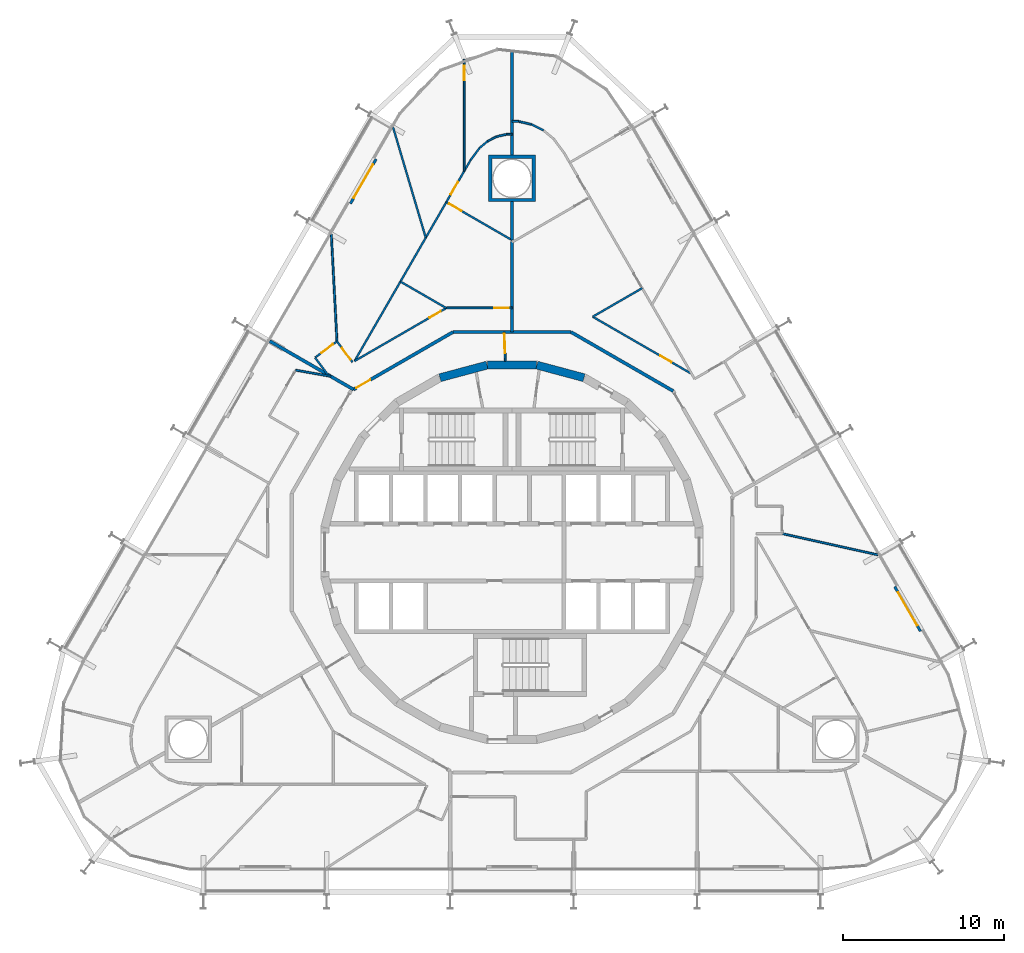
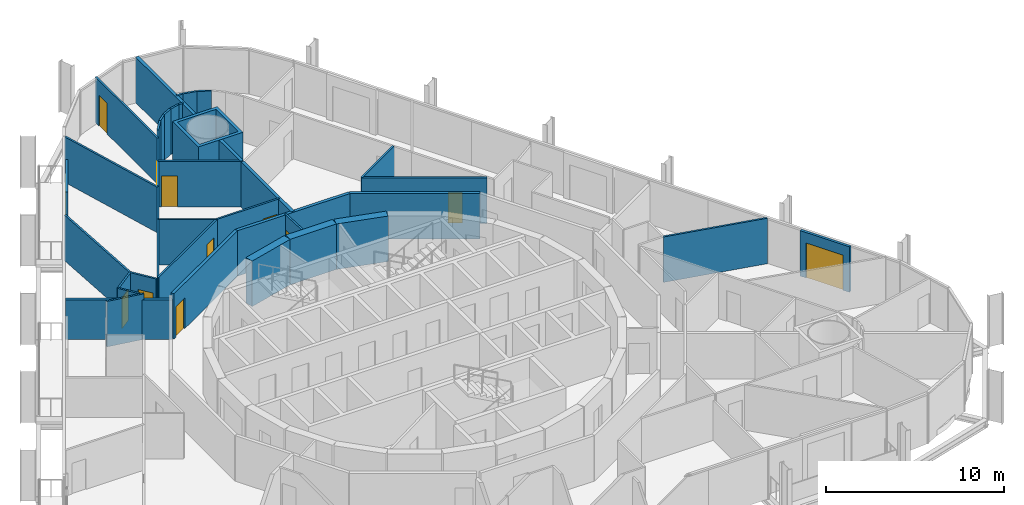
# One storey, part 18 of 21: 37 walls, 12 doors, 12 openings.
"""IFC4 building model written with IfcOpenShell, lengths in metres."""

from ifc_helpers import new_model, si_unit, direction, frame, frame_2d, origin, place, context, subcontext, project, spatial, polyline, rectangle, outline, extrude, material, layer, layer_set, type_object, element, fill, save


model = new_model("IFC4")

# Units and contexts
model_context = context("Model", 3, precision=1e-05, world=origin(), true_north=direction((0.0, 1.0)))
body_context = subcontext(model_context, "Body", "Model", "MODEL_VIEW")
ifc_project = project(units=[si_unit("LENGTHUNIT", "METRE"), si_unit("AREAUNIT", "SQUARE_METRE"), si_unit("VOLUMEUNIT", "CUBIC_METRE"), si_unit("PLANEANGLEUNIT", "RADIAN"), si_unit("MASSUNIT", "GRAM", prefix="KILO")], contexts=[model_context])

# Site, building, storey
site_placement = place(None, origin())
site = spatial("IfcSite", under=ifc_project, at=site_placement, CompositionType="ELEMENT")
building_placement = place(site_placement, origin())
building = spatial("IfcBuilding", under=site, at=building_placement, Name="Spindle Arch Residences", CompositionType="ELEMENT")
storey_placement = place(building_placement, frame((0.0, 0.0, 55.89990234375)))
storey = spatial("IfcBuildingStorey", under=building, at=storey_placement, Name="L12", CompositionType="ELEMENT", Elevation=55.89990234375)

# Walls
ifc_material_1 = material(Name="Concrete C50/60", Category="concrete")
ifc_layer_1 = layer(ifc_material_1, 0.5)
ifc_layer_set_1 = layer_set([ifc_layer_1], Name="Core outline wall 500")
wall_type_1 = type_object("IfcWallType", Name="Core outline wall 500", PredefinedType="SHEAR", material=ifc_layer_set_1)
for number, where, z_axis, x_axis, name in (
    (1, (4.479248046875, 10.858154296875, 0.0), (0.0, 0.0, 1.0), (-0.965948410781, 0.258734743916, 0.0), "Core outline wall 11"),
    (2, (1.516357421875, 11.647216796875, 0.0), (0.0, 0.0, 1.0), (-1.0, 0.0, 0.0), "Core outline wall 12"),
    (3, (-1.5498046875, 11.642822265625, 0.0), (0.0, 0.0, 1.0), (-0.965948410781, -0.258734743916, 0.0), "Core outline wall 13"),
):
    element("IfcWall", number, at=place(storey_placement, frame(where, z_axis=z_axis, x_axis=x_axis)), inside=storey, type_object=wall_type_1, Name=name, PredefinedType="SHEAR", context=body_context, shape_type="SweptSolid", body=[
        extrude(rectangle(XDim=3.03271484375, YDim=0.5, at=frame_2d((1.516357421875, 0.0))), origin(), (0.0, 0.0, 1.0), 3.1201171875),
    ])

# Wall, opening, door
ifc_material_2 = material(Name="Plasterboard on steel studs", Category="steel")
ifc_layer_2 = layer(ifc_material_2, 0.1201171875)
ifc_layer_set_2 = layer_set([ifc_layer_2], Name="Corridor division wall 120")
wall_type_2 = type_object("IfcWallType", Name="Corridor division wall 120", PredefinedType="PARTITIONING", material=ifc_layer_set_2)
wall_1_placement = place(storey_placement, frame((-0.478515625, 13.699951171875, 0.0), z_axis=(0.0, 0.0, 1.0), x_axis=(0.034919103017, -0.999390142159, 0.0)))
wall_1 = element("IfcWall", 4, at=wall_1_placement, inside=storey, type_object=wall_type_2, Name="Corridor division wall R1B1-W001", PredefinedType="PARTITIONING", context=body_context, shape_type="SweptSolid", body=[
    extrude(rectangle(XDim=1.803955078125, YDim=0.1201171875, at=frame_2d((0.90185546875, 0.0))), origin(), (0.0, 0.0, 1.0), 3.1201171875),
])
opening_1_placement = place(wall_1_placement, frame((0.110107421875, 0.0, 0.0)))
opening_1 = element("IfcOpeningElement", 5, at=opening_1_placement, cuts=wall_1, Name="Opening R1B1-CD01", PredefinedType="OPENING", context=body_context, shape_type="SweptSolid", body=[
    extrude(rectangle(XDim=1.199951171875, YDim=2.10009765625, at=frame_2d((0.60009765625, 1.050048828125))), frame((0.0, 0.070068359375, 0.0), z_axis=(0.0, -1.0, 0.0), x_axis=(1.0, 0.0, 0.0)), (0.0, 0.0, 1.0), 0.14013671875),
])
ifc_material_3 = material(Name="Steel, fire-resisting door", Category="steel")
door_type_1 = type_object("IfcDoorType", Name="Corridor division door 1200x2100", OperationType="NOTDEFINED", PredefinedType="DOOR", material=ifc_material_3)
door_1_placement = place(opening_1_placement, origin())
door_1 = element("IfcDoor", 6, at=door_1_placement, inside=storey, type_object=door_type_1, Name="Corridor division door R1B1-CD01", OperationType="DOUBLE_DOOR_SINGLE_SWING", OverallHeight=2.10009765625, OverallWidth=1.199951171875, PredefinedType="DOOR", context=body_context, shape_type="SweptSolid", body=[
    extrude(rectangle(XDim=1.199951171875, YDim=2.10009765625, at=frame_2d((0.60009765625, 1.050048828125))), frame((0.0, 0.02490234375, 0.0), z_axis=(0.0, -1.0, 0.0), x_axis=(1.0, 0.0, 0.0)), (0.0, 0.0, 1.0), 0.050048828125),
])
fill(opening_1, door_1)

# Walls
ifc_material_4 = material(Name="Calcium silicate block, plastered")
ifc_layer_3 = layer(ifc_material_4, 0.199951171875)
ifc_layer_set_3 = layer_set([ifc_layer_3], Name="Corridor wall 200")
wall_type_3 = type_object("IfcWallType", Name="Corridor wall 200", PredefinedType="STANDARD", material=ifc_layer_set_3)
for number, where, z_axis, x_axis, name in (
    (7, (10.029052734375, 10.029052734375, 0.0), (0.0, 0.0, 1.0), (-0.866024439905, 0.500001669485, 0.0), "Corridor wall R1B1-W005"),
    (8, (3.6708984375, 13.699951171875, 0.0), (0.0, 0.0, 1.0), (-1.0, 0.0, 0.0), "Corridor wall R1B1-W006"),
):
    element("IfcWall", number, at=place(storey_placement, frame(where, z_axis=z_axis, x_axis=x_axis)), inside=storey, type_object=wall_type_3, Name=name, PredefinedType="STANDARD", context=body_context, shape_type="SweptSolid", body=[
        extrude(rectangle(XDim=7.341796875, YDim=0.199951171875, at=frame_2d((3.6708984375, 0.0))), origin(), (0.0, 0.0, 1.0), 3.1201171875),
    ])

# Wall, opening, door
wall_2_placement = place(storey_placement, frame((-3.6708984375, 13.699951171875, 0.0), z_axis=(0.0, 0.0, 1.0), x_axis=(-0.866031419417, -0.499989580474, 0.0)))
wall_2 = element("IfcWall", 9, at=wall_2_placement, inside=storey, type_object=wall_type_3, Name="Corridor wall R1B1-W009", PredefinedType="STANDARD", context=body_context, shape_type="SweptSolid", body=[
    extrude(rectangle(XDim=7.146728515625, YDim=0.199951171875, at=frame_2d((3.5732421875, 0.0))), origin(), (0.0, 0.0, 1.0), 3.1201171875),
])
opening_2_placement = place(wall_2_placement, frame((5.946533203125, 0.0, 0.0)))
opening_2 = element("IfcOpeningElement", 10, at=opening_2_placement, cuts=wall_2, Name="Opening R1B1-FD02", PredefinedType="OPENING", context=body_context, shape_type="SweptSolid", body=[
    extrude(rectangle(XDim=1.0, YDim=2.10009765625, at=frame_2d((0.5, 1.050048828125))), frame((0.0, 0.10986328125, 0.0), z_axis=(0.0, -1.0, 0.0), x_axis=(1.0, 0.0, 0.0)), (0.0, 0.0, 1.0), 0.219970703125),
])
ifc_material_5 = material(Name="Timber, fire-resisting door set", Category="wood")
door_type_2 = type_object("IfcDoorType", Name="Flat entrance door 1000x2100", OperationType="NOTDEFINED", PredefinedType="DOOR", material=ifc_material_5)
door_2_placement = place(opening_2_placement, origin())
door_2 = element("IfcDoor", 11, at=door_2_placement, inside=storey, type_object=door_type_2, Name="Flat entrance door R1B1-FD02", OperationType="SINGLE_SWING_LEFT", OverallHeight=2.10009765625, OverallWidth=1.0, PredefinedType="DOOR", context=body_context, shape_type="SweptSolid", body=[
    extrude(rectangle(XDim=1.0, YDim=2.10009765625, at=frame_2d((0.5, 1.050048828125))), frame((0.0, 0.02490234375, 0.0), z_axis=(0.0, -1.0, 0.0), x_axis=(1.0, 0.0, 0.0)), (0.0, 0.0, 1.0), 0.050048828125),
])
fill(opening_2, door_2)

ifc_material_6 = material(Name="Plasterboard on steel studs", Category="steel")
ifc_layer_4 = layer(ifc_material_6, 0.1201171875)
ifc_layer_set_4 = layer_set([ifc_layer_4], Name="Flat partition 120")
wall_type_4 = type_object("IfcWallType", Name="Flat partition 120", PredefinedType="PARTITIONING", material=ifc_layer_set_4)
wall_3_placement = place(storey_placement, frame((11.127197265625, 11.127197265625, 0.0), z_axis=(0.0, 0.0, 1.0), x_axis=(-0.86602299963, 0.500004164094, 0.0)))
wall_3 = element("IfcWall", 12, at=wall_3_placement, inside=storey, type_object=wall_type_4, Name="Flat partition R1B1-W033", PredefinedType="PARTITIONING", context=body_context, shape_type="SweptSolid", body=[
    extrude(rectangle(XDim=7.0517578125, YDim=0.1201171875, at=frame_2d((3.52587890625, 0.0))), origin(), (0.0, 0.0, 1.0), 3.1201171875),
])
opening_3_placement = place(wall_3_placement, frame((1.39990234375, 0.0, 0.0)))
opening_3 = element("IfcOpeningElement", 13, at=opening_3_placement, cuts=wall_3, Name="Opening R1B1-BD01", PredefinedType="OPENING", context=body_context, shape_type="SweptSolid", body=[
    extrude(rectangle(XDim=0.800048828125, YDim=2.10009765625, at=frame_2d((0.39990234375, 1.050048828125))), frame((0.0, 0.070068359375, 0.0), z_axis=(0.0, -1.0, 0.0), x_axis=(1.0, 0.0, 0.0)), (0.0, 0.0, 1.0), 0.14013671875),
])
ifc_material_7 = material(Name="Timber door set", Category="wood")
door_type_3 = type_object("IfcDoorType", Name="Bathroom door 800x2100", OperationType="NOTDEFINED", PredefinedType="DOOR", material=ifc_material_7)
door_3_placement = place(opening_3_placement, origin())
door_3 = element("IfcDoor", 14, at=door_3_placement, inside=storey, type_object=door_type_3, Name="Bathroom door R1B1-BD01", OperationType="SINGLE_SWING_RIGHT", OverallHeight=2.10009765625, OverallWidth=0.800048828125, PredefinedType="DOOR", context=body_context, shape_type="SweptSolid", body=[
    extrude(rectangle(XDim=0.800048828125, YDim=2.10009765625, at=frame_2d((0.39990234375, 1.050048828125))), frame((0.0, 0.02490234375, 0.0), z_axis=(0.0, -1.0, 0.0), x_axis=(1.0, 0.0, 0.0)), (0.0, 0.0, 1.0), 0.050048828125),
])
fill(opening_3, door_3)

# Walls
wall_4_placement = place(storey_placement, frame((5.020263671875, 14.653076171875, 0.0), z_axis=(0.0, 0.0, 1.0), x_axis=(0.866028940167, 0.499993874756, 0.0)))
element("IfcWall", 15, at=wall_4_placement, inside=storey, type_object=wall_type_4, Name="Flat partition R1B1-W034", PredefinedType="PARTITIONING", context=body_context, shape_type="SweptSolid", body=[
    extrude(rectangle(XDim=3.5556640625, YDim=0.1201171875, at=frame_2d((1.77783203125, 0.0))), origin(), (0.0, 0.0, 1.0), 3.1201171875),
])
wall_5_placement = place(storey_placement, frame((0.0, 26.8056640625, 0.0), z_axis=(0.0, 0.0, 1.0), x_axis=(1.0, 0.0, 0.0)))
element("IfcWall", 16, at=wall_5_placement, inside=storey, type_object=wall_type_4, Name="Flat partition R1B1-W041", PredefinedType="PARTITIONING", context=body_context, shape_type="SweptSolid", body=[
    extrude(rectangle(XDim=0.41455078125, YDim=0.1201171875, at=frame_2d((0.207275390625, 0.0))), origin(), (0.0, 0.0, 1.0), 3.1201171875),
])
wall_6_placement = place(storey_placement, frame((0.41455078125, 26.8056640625, 0.0), z_axis=(0.0, 0.0, 1.0), x_axis=(0.973048993259, -0.230598475097, 0.0)))
element("IfcWall", 17, at=wall_6_placement, inside=storey, type_object=wall_type_4, Name="Flat partition R1B1-W042", PredefinedType="PARTITIONING", context=body_context, shape_type="SweptSolid", body=[
    extrude(rectangle(XDim=0.8291015625, YDim=0.1201171875, at=frame_2d((0.41455078125, 0.0))), origin(), (0.0, 0.0, 1.0), 3.1201171875),
])
wall_7_placement = place(storey_placement, frame((1.22119140625, 26.614501953125, 0.0), z_axis=(0.0, 0.0, 1.0), x_axis=(0.893719110379, -0.448626962791, 0.0)))
element("IfcWall", 18, at=wall_7_placement, inside=storey, type_object=wall_type_4, Name="Flat partition R1B1-W043", PredefinedType="PARTITIONING", context=body_context, shape_type="SweptSolid", body=[
    extrude(rectangle(XDim=0.828857421875, YDim=0.1201171875, at=frame_2d((0.41455078125, 0.0))), origin(), (0.0, 0.0, 1.0), 3.1201171875),
])

# Wall, opening, door
wall_8_placement = place(storey_placement, frame((0.0, 15.199951171875, 0.0), z_axis=(0.0, 0.0, 1.0), x_axis=(-1.0, 0.0, 0.0)))
wall_8 = element("IfcWall", 19, at=wall_8_placement, inside=storey, type_object=wall_type_4, Name="Flat partition R1B1-W046", PredefinedType="PARTITIONING", context=body_context, shape_type="SweptSolid", body=[
    extrude(rectangle(XDim=4.07275390625, YDim=0.1201171875, at=frame_2d((2.036376953125, 0.0))), origin(), (0.0, 0.0, 1.0), 3.1201171875),
])
opening_4_placement = place(wall_8_placement, frame((0.199951171875, 0.0, 0.0)))
opening_4 = element("IfcOpeningElement", 20, at=opening_4_placement, cuts=wall_8, Name="Opening R1B1-ID07", PredefinedType="OPENING", context=body_context, shape_type="SweptSolid", body=[
    extrude(rectangle(XDim=0.89990234375, YDim=2.10009765625, at=frame_2d((0.449951171875, 1.050048828125))), frame((0.0, 0.070068359375, 0.0), z_axis=(0.0, -1.0, 0.0), x_axis=(1.0, 0.0, 0.0)), (0.0, 0.0, 1.0), 0.14013671875),
])
ifc_material_8 = material(Name="Timber door set", Category="wood")
door_type_4 = type_object("IfcDoorType", Name="Room door 900x2100", OperationType="NOTDEFINED", PredefinedType="DOOR", material=ifc_material_8)
door_4_placement = place(opening_4_placement, origin())
door_4 = element("IfcDoor", 21, at=door_4_placement, inside=storey, type_object=door_type_4, Name="Room door R1B1-ID07", OperationType="SINGLE_SWING_RIGHT", OverallHeight=2.10009765625, OverallWidth=0.89990234375, PredefinedType="DOOR", context=body_context, shape_type="SweptSolid", body=[
    extrude(rectangle(XDim=0.89990234375, YDim=2.10009765625, at=frame_2d((0.449951171875, 1.050048828125))), frame((0.0, 0.02490234375, 0.0), z_axis=(0.0, -1.0, 0.0), x_axis=(1.0, 0.0, 0.0)), (0.0, 0.0, 1.0), 0.050048828125),
])
fill(opening_4, door_4)

wall_9_placement = place(storey_placement, frame((-9.919677734375, 11.82421875, 0.0), z_axis=(0.0, 0.0, 1.0), x_axis=(-0.597853402964, 0.801605456921, 0.0)))
wall_9 = element("IfcWall", 22, at=wall_9_placement, inside=storey, type_object=wall_type_4, Name="Flat partition R1B1-W047", PredefinedType="PARTITIONING", context=body_context, shape_type="SweptSolid", body=[
    extrude(rectangle(XDim=1.62109375, YDim=0.1201171875, at=frame_2d((0.810546875, 0.0))), origin(), (0.0, 0.0, 1.0), 3.1201171875),
])
opening_5_placement = place(wall_9_placement, frame((0.199951171875, 0.0, 0.0)))
opening_5 = element("IfcOpeningElement", 23, at=opening_5_placement, cuts=wall_9, Name="Opening R1B1-ID08", PredefinedType="OPENING", context=body_context, shape_type="SweptSolid", body=[
    extrude(rectangle(XDim=0.89990234375, YDim=2.10009765625, at=frame_2d((0.449951171875, 1.050048828125))), frame((0.0, 0.070068359375, 0.0), z_axis=(0.0, -1.0, 0.0), x_axis=(1.0, 0.0, 0.0)), (0.0, 0.0, 1.0), 0.14013671875),
])
door_5_placement = place(opening_5_placement, origin())
door_5 = element("IfcDoor", 24, at=door_5_placement, inside=storey, type_object=door_type_4, Name="Room door R1B1-ID08", OperationType="SINGLE_SWING_RIGHT", OverallHeight=2.10009765625, OverallWidth=0.89990234375, PredefinedType="DOOR", context=body_context, shape_type="SweptSolid", body=[
    extrude(rectangle(XDim=0.89990234375, YDim=2.10009765625, at=frame_2d((0.449951171875, 1.050048828125))), frame((0.0, 0.02490234375, 0.0), z_axis=(0.0, -1.0, 0.0), x_axis=(1.0, 0.0, 0.0)), (0.0, 0.0, 1.0), 0.050048828125),
])
fill(opening_5, door_5)

wall_10_placement = place(storey_placement, frame((-4.08837890625, 15.19091796875, 0.0), z_axis=(0.0, 0.0, 1.0), x_axis=(-0.866024500911, -0.50000156382, 0.0)))
wall_10 = element("IfcWall", 25, at=wall_10_placement, inside=storey, type_object=wall_type_4, Name="Flat partition R1B1-W048", PredefinedType="PARTITIONING", context=body_context, shape_type="SweptSolid", body=[
    extrude(rectangle(XDim=6.58740234375, YDim=0.1201171875, at=frame_2d((3.293701171875, 0.0))), origin(), (0.0, 0.0, 1.0), 3.1201171875),
])
opening_6_placement = place(wall_10_placement, frame((0.39990234375, 0.0, 0.0)))
opening_6 = element("IfcOpeningElement", 26, at=opening_6_placement, cuts=wall_10, Name="Opening R1B1-BD02", PredefinedType="OPENING", context=body_context, shape_type="SweptSolid", body=[
    extrude(rectangle(XDim=0.800048828125, YDim=2.10009765625, at=frame_2d((0.39990234375, 1.050048828125))), frame((0.0, 0.070068359375, 0.0), z_axis=(0.0, -1.0, 0.0), x_axis=(1.0, 0.0, 0.0)), (0.0, 0.0, 1.0), 0.14013671875),
])
door_6_placement = place(opening_6_placement, origin())
door_6 = element("IfcDoor", 27, at=door_6_placement, inside=storey, type_object=door_type_3, Name="Bathroom door R1B1-BD02", OperationType="SINGLE_SWING_LEFT", OverallHeight=2.10009765625, OverallWidth=0.800048828125, PredefinedType="DOOR", context=body_context, shape_type="SweptSolid", body=[
    extrude(rectangle(XDim=0.800048828125, YDim=2.10009765625, at=frame_2d((0.39990234375, 1.050048828125))), frame((0.0, 0.02490234375, 0.0), z_axis=(0.0, -1.0, 0.0), x_axis=(1.0, 0.0, 0.0)), (0.0, 0.0, 1.0), 0.050048828125),
])
fill(opening_6, door_6)

wall_11_placement = place(storey_placement, frame((-10.888916015625, 13.123779296875, 0.0), z_axis=(0.0, 0.0, 1.0), x_axis=(-0.801616976804, -0.597837956724, 0.0)))
wall_11 = element("IfcWall", 28, at=wall_11_placement, inside=storey, type_object=wall_type_4, Name="Flat partition R1B1-W049", PredefinedType="PARTITIONING", context=body_context, shape_type="SweptSolid", body=[
    extrude(rectangle(XDim=1.699951171875, YDim=0.1201171875, at=frame_2d((0.85009765625, 0.0))), origin(), (0.0, 0.0, 1.0), 3.1201171875),
])
opening_7_placement = place(wall_11_placement, frame((0.300048828125, 0.0, 0.0)))
opening_7 = element("IfcOpeningElement", 29, at=opening_7_placement, cuts=wall_11, Name="Opening R1B1-ID09", PredefinedType="OPENING", context=body_context, shape_type="SweptSolid", body=[
    extrude(rectangle(XDim=0.89990234375, YDim=2.10009765625, at=frame_2d((0.449951171875, 1.050048828125))), frame((0.0, 0.070068359375, 0.0), z_axis=(0.0, -1.0, 0.0), x_axis=(1.0, 0.0, 0.0)), (0.0, 0.0, 1.0), 0.14013671875),
])
door_7_placement = place(opening_7_placement, origin())
door_7 = element("IfcDoor", 30, at=door_7_placement, inside=storey, type_object=door_type_4, Name="Room door R1B1-ID09", OperationType="SINGLE_SWING_LEFT", OverallHeight=2.10009765625, OverallWidth=0.89990234375, PredefinedType="DOOR", context=body_context, shape_type="SweptSolid", body=[
    extrude(rectangle(XDim=0.89990234375, YDim=2.10009765625, at=frame_2d((0.449951171875, 1.050048828125))), frame((0.0, 0.02490234375, 0.0), z_axis=(0.0, -1.0, 0.0), x_axis=(1.0, 0.0, 0.0)), (0.0, 0.0, 1.0), 0.050048828125),
])
fill(opening_7, door_7)

# Wall
wall_12_placement = place(storey_placement, frame((-12.251708984375, 12.107421875, 0.0), z_axis=(0.0, 0.0, 1.0), x_axis=(0.597827926538, -0.801624457119, 0.0)))
element("IfcWall", 31, at=wall_12_placement, inside=storey, type_object=wall_type_4, Name="Flat partition R1B1-W050", PredefinedType="PARTITIONING", context=body_context, shape_type="SweptSolid", body=[
    extrude(rectangle(XDim=1.314208984375, YDim=0.1201171875, at=frame_2d((0.6572265625, 0.0))), origin(), (0.0, 0.0, 1.0), 3.1201171875),
])

# Wall, opening, door
wall_13_placement = place(storey_placement, frame((-9.793212890625, 11.897216796875, 0.0), z_axis=(0.0, 0.0, 1.0), x_axis=(0.499981117606, 0.866036305265, 0.0)))
wall_13 = element("IfcWall", 32, at=wall_13_placement, inside=storey, type_object=wall_type_4, Name="Flat partition R1B1-W051", PredefinedType="PARTITIONING", context=body_context, shape_type="SweptSolid", body=[
    extrude(rectangle(XDim=14.43408203125, YDim=0.1201171875, at=frame_2d((7.217041015625, 0.0))), origin(), (0.0, 0.0, 1.0), 3.1201171875),
])
opening_8_placement = place(wall_13_placement, frame((11.969970703125, 0.0, 0.0)))
opening_8 = element("IfcOpeningElement", 33, at=opening_8_placement, cuts=wall_13, Name="Opening R1B1-ID11", PredefinedType="OPENING", context=body_context, shape_type="SweptSolid", body=[
    extrude(rectangle(XDim=0.89990234375, YDim=2.10009765625, at=frame_2d((0.449951171875, 1.050048828125))), frame((0.0, 0.070068359375, 0.0), z_axis=(0.0, -1.0, 0.0), x_axis=(1.0, 0.0, 0.0)), (0.0, 0.0, 1.0), 0.14013671875),
])
door_8_placement = place(opening_8_placement, origin())
door_8 = element("IfcDoor", 34, at=door_8_placement, inside=storey, type_object=door_type_4, Name="Room door R1B1-ID11", OperationType="SINGLE_SWING_LEFT", OverallHeight=2.10009765625, OverallWidth=0.89990234375, PredefinedType="DOOR", context=body_context, shape_type="SweptSolid", body=[
    extrude(rectangle(XDim=0.89990234375, YDim=2.10009765625, at=frame_2d((0.449951171875, 1.050048828125))), frame((0.0, 0.02490234375, 0.0), z_axis=(0.0, -1.0, 0.0), x_axis=(1.0, 0.0, 0.0)), (0.0, 0.0, 1.0), 0.050048828125),
])
fill(opening_8, door_8)

# Walls
wall_14_placement = place(storey_placement, frame((-2.576416015625, 24.397705078125, 0.0), z_axis=(0.0, 0.0, 1.0), x_axis=(0.597273205282, 0.802037853379, 0.0)))
element("IfcWall", 35, at=wall_14_placement, inside=storey, type_object=wall_type_4, Name="Flat partition R1B1-W052", PredefinedType="PARTITIONING", context=body_context, shape_type="SweptSolid", body=[
    extrude(rectangle(XDim=0.94677734375, YDim=0.1201171875, at=frame_2d((0.473388671875, 0.0))), origin(), (0.0, 0.0, 1.0), 3.1201171875),
])
wall_15_placement = place(storey_placement, frame((-2.010986328125, 25.156982421875, 0.0), z_axis=(0.0, 0.0, 1.0), x_axis=(0.76603445255, 0.642799515795, 0.0)))
element("IfcWall", 36, at=wall_15_placement, inside=storey, type_object=wall_type_4, Name="Flat partition R1B1-W053", PredefinedType="PARTITIONING", context=body_context, shape_type="SweptSolid", body=[
    extrude(rectangle(XDim=0.641845703125, YDim=0.1201171875, at=frame_2d((0.32080078125, 0.0))), origin(), (0.0, 0.0, 1.0), 3.1201171875),
])
wall_16_placement = place(storey_placement, frame((-1.519287109375, 25.569580078125, 0.0), z_axis=(0.0, 0.0, 1.0), x_axis=(0.893665331281, 0.448734081239, 0.0)))
element("IfcWall", 37, at=wall_16_placement, inside=storey, type_object=wall_type_4, Name="Flat partition R1B1-W054", PredefinedType="PARTITIONING", context=body_context, shape_type="SweptSolid", body=[
    extrude(rectangle(XDim=0.64208984375, YDim=0.1201171875, at=frame_2d((0.321044921875, 0.0))), origin(), (0.0, 0.0, 1.0), 3.1201171875),
])
wall_17_placement = place(storey_placement, frame((-0.945556640625, 25.857666015625, 0.0), z_axis=(0.0, 0.0, 1.0), x_axis=(0.973066815876, 0.230523256615, 0.0)))
element("IfcWall", 38, at=wall_17_placement, inside=storey, type_object=wall_type_4, Name="Flat partition R1B1-W055", PredefinedType="PARTITIONING", context=body_context, shape_type="SweptSolid", body=[
    extrude(rectangle(XDim=0.641845703125, YDim=0.1201171875, at=frame_2d((0.32080078125, 0.0))), origin(), (0.0, 0.0, 1.0), 3.1201171875),
])
wall_18_placement = place(storey_placement, frame((-0.321044921875, 26.005615234375, 0.0), z_axis=(0.0, 0.0, 1.0), x_axis=(1.0, 0.0, 0.0)))
element("IfcWall", 39, at=wall_18_placement, inside=storey, type_object=wall_type_4, Name="Flat partition R1B1-W056", PredefinedType="PARTITIONING", context=body_context, shape_type="SweptSolid", body=[
    extrude(rectangle(XDim=0.321044921875, YDim=0.1201171875, at=frame_2d((0.16064453125, 0.0))), origin(), (0.0, 0.0, 1.0), 3.1201171875),
])

# Wall, opening, door
wall_19_placement = place(storey_placement, frame((-2.968994140625, 30.660400390625, 0.0), z_axis=(0.0, 0.0, 1.0), x_axis=(0.0, -1.0, 0.0)))
wall_19 = element("IfcWall", 40, at=wall_19_placement, inside=storey, type_object=wall_type_4, Name="Flat partition R1B1-W057", PredefinedType="PARTITIONING", context=body_context, shape_type="SweptSolid", body=[
    extrude(rectangle(XDim=6.94287109375, YDim=0.1201171875, at=frame_2d((3.471435546875, 0.0))), origin(), (0.0, 0.0, 1.0), 3.1201171875),
])
opening_9_placement = place(wall_19_placement, frame((0.39990234375, 0.0, 0.0)))
opening_9 = element("IfcOpeningElement", 41, at=opening_9_placement, cuts=wall_19, Name="Opening R1B1-ID12", PredefinedType="OPENING", context=body_context, shape_type="SweptSolid", body=[
    extrude(rectangle(XDim=0.89990234375, YDim=2.10009765625, at=frame_2d((0.449951171875, 1.050048828125))), frame((0.0, 0.070068359375, 0.0), z_axis=(0.0, -1.0, 0.0), x_axis=(1.0, 0.0, 0.0)), (0.0, 0.0, 1.0), 0.14013671875),
])
door_9_placement = place(opening_9_placement, origin())
door_9 = element("IfcDoor", 42, at=door_9_placement, inside=storey, type_object=door_type_4, Name="Room door R1B1-ID12", OperationType="SINGLE_SWING_LEFT", OverallHeight=2.10009765625, OverallWidth=0.89990234375, PredefinedType="DOOR", context=body_context, shape_type="SweptSolid", body=[
    extrude(rectangle(XDim=0.89990234375, YDim=2.10009765625, at=frame_2d((0.449951171875, 1.050048828125))), frame((0.0, 0.02490234375, 0.0), z_axis=(0.0, -1.0, 0.0), x_axis=(1.0, 0.0, 0.0)), (0.0, 0.0, 1.0), 0.050048828125),
])
fill(opening_9, door_9)

wall_20_placement = place(storey_placement, frame((-4.08837890625, 21.778564453125, 0.0), z_axis=(0.0, 0.0, 1.0), x_axis=(0.866032292145, -0.49998806882, 0.0)))
wall_20 = element("IfcWall", 43, at=wall_20_placement, inside=storey, type_object=wall_type_4, Name="Flat partition R1B1-W058", PredefinedType="PARTITIONING", context=body_context, shape_type="SweptSolid", body=[
    extrude(rectangle(XDim=4.720703125, YDim=0.1201171875, at=frame_2d((2.3603515625, 0.0))), origin(), (0.0, 0.0, 1.0), 3.1201171875),
])
opening_10_placement = place(wall_20_placement, frame((0.199951171875, 0.0, 0.0)))
opening_10 = element("IfcOpeningElement", 44, at=opening_10_placement, cuts=wall_20, Name="Opening R1B1-ID10", PredefinedType="OPENING", context=body_context, shape_type="SweptSolid", body=[
    extrude(rectangle(XDim=0.89990234375, YDim=2.10009765625, at=frame_2d((0.449951171875, 1.050048828125))), frame((0.0, 0.070068359375, 0.0), z_axis=(0.0, -1.0, 0.0), x_axis=(1.0, 0.0, 0.0)), (0.0, 0.0, 1.0), 0.14013671875),
])
door_10_placement = place(opening_10_placement, origin())
door_10 = element("IfcDoor", 45, at=door_10_placement, inside=storey, type_object=door_type_4, Name="Room door R1B1-ID10", OperationType="SINGLE_SWING_LEFT", OverallHeight=2.10009765625, OverallWidth=0.89990234375, PredefinedType="DOOR", context=body_context, shape_type="SweptSolid", body=[
    extrude(rectangle(XDim=0.89990234375, YDim=2.10009765625, at=frame_2d((0.449951171875, 1.050048828125))), frame((0.0, 0.02490234375, 0.0), z_axis=(0.0, -1.0, 0.0), x_axis=(1.0, 0.0, 0.0)), (0.0, 0.0, 1.0), 0.050048828125),
])
fill(opening_10, door_10)

# Walls
wall_21_placement = place(storey_placement, frame((-6.94091796875, 16.837890625, 0.0), z_axis=(0.0, 0.0, 1.0), x_axis=(0.866017718408, -0.500013311227, 0.0)))
element("IfcWall", 46, at=wall_21_placement, inside=storey, type_object=wall_type_4, Name="Flat partition R1B1-W059", PredefinedType="PARTITIONING", context=body_context, shape_type="SweptSolid", body=[
    extrude(rectangle(XDim=3.2939453125, YDim=0.1201171875, at=frame_2d((1.64697265625, 0.0))), origin(), (0.0, 0.0, 1.0), 3.1201171875),
])
wall_22_placement = place(storey_placement, frame((-7.39990234375, 26.44287109375, 0.0), z_axis=(0.0, 0.0, 1.0), x_axis=(0.283756762476, -0.958896292489, 0.0)))
element("IfcWall", 47, at=wall_22_placement, inside=storey, type_object=wall_type_4, Name="Flat partition R1B1-W060", PredefinedType="PARTITIONING", context=body_context, shape_type="SweptSolid", body=[
    extrude(rectangle(XDim=7.17041015625, YDim=0.1201171875, at=frame_2d((3.585205078125, 0.0))), origin(), (0.0, 0.0, 1.0), 3.1201171875),
])
wall_23_placement = place(storey_placement, frame((-11.239990234375, 19.79150390625, 0.0), z_axis=(0.0, 0.0, 1.0), x_axis=(0.052579943632, -0.998616718029, 0.0)))
element("IfcWall", 48, at=wall_23_placement, inside=storey, type_object=wall_type_4, Name="Flat partition R1B1-W061", PredefinedType="PARTITIONING", context=body_context, shape_type="SweptSolid", body=[
    extrude(rectangle(XDim=6.677001953125, YDim=0.1201171875, at=frame_2d((3.33837890625, 0.0))), origin(), (0.0, 0.0, 1.0), 3.1201171875),
])
wall_24_placement = place(storey_placement, frame((-11.26953125, 10.9404296875, 0.0), z_axis=(0.0, 0.0, 1.0), x_axis=(-0.984382718707, 0.176041651637, 0.0)))
element("IfcWall", 49, at=wall_24_placement, inside=storey, type_object=wall_type_4, Name="Flat partition R1B1-W062", PredefinedType="PARTITIONING", context=body_context, shape_type="SweptSolid", body=[
    extrude(rectangle(XDim=2.2216796875, YDim=0.1201171875, at=frame_2d((1.11083984375, 0.0))), origin(), (0.0, 0.0, 1.0), 3.1201171875),
])
wall_25_placement = place(storey_placement, frame((16.80029296875, 1.16162109375, 0.0), z_axis=(0.0, 0.0, 1.0), x_axis=(0.976218101949, -0.216790722652, 0.0)))
element("IfcWall", 50, at=wall_25_placement, inside=storey, type_object=wall_type_4, Name="Flat partition R1B1-W116", PredefinedType="PARTITIONING", context=body_context, shape_type="SweptSolid", body=[
    extrude(rectangle(XDim=6.10498046875, YDim=0.1201171875, at=frame_2d((3.052490234375, 0.0))), origin(), (0.0, 0.0, 1.0), 3.1201171875),
])
ifc_material_9 = material(Name="Calcium silicate block, plastered")
ifc_layer_5 = layer(ifc_material_9, 0.199951171875)
ifc_layer_set_5 = layer_set([ifc_layer_5], Name="Flat party wall 200")
wall_type_5 = type_object("IfcWallType", Name="Flat party wall 200", PredefinedType="STANDARD", material=ifc_layer_set_5)
wall_26_placement = place(storey_placement, frame((0.0, 19.326416015625, 0.0), z_axis=(0.0, 0.0, 1.0), x_axis=(0.0, -1.0, 0.0)))
element("IfcWall", 51, at=wall_26_placement, inside=storey, type_object=wall_type_5, Name="Flat party wall R1B1-W017", PredefinedType="STANDARD", context=body_context, shape_type="SweptSolid", body=[
    extrude(rectangle(XDim=5.62646484375, YDim=0.199951171875, at=frame_2d((2.813232421875, 0.0))), origin(), (0.0, 0.0, 1.0), 3.1201171875),
])
wall_27_placement = place(storey_placement, frame((0.0, 31.205810546875, 0.0), z_axis=(0.0, 0.0, 1.0), x_axis=(0.0, -1.0, 0.0)))
element("IfcWall", 52, at=wall_27_placement, inside=storey, type_object=wall_type_5, Name="Flat party wall R1B1-W019", PredefinedType="STANDARD", context=body_context, shape_type="SweptSolid", body=[
    extrude(rectangle(XDim=6.49609375, YDim=0.199951171875, at=frame_2d((3.248046875, 0.0))), origin(), (0.0, 0.0, 1.0), 3.1201171875),
])
wall_28_placement = place(storey_placement, frame((0.0, 21.809814453125, 0.0), z_axis=(0.0, 0.0, 1.0), x_axis=(0.0, -1.0, 0.0)))
element("IfcWall", 53, at=wall_28_placement, inside=storey, type_object=wall_type_5, Name="Flat party wall R1B1-W020", PredefinedType="STANDARD", context=body_context, shape_type="SweptSolid", body=[
    extrude(rectangle(XDim=2.3916015625, YDim=0.199951171875, at=frame_2d((1.19580078125, 0.0))), origin(), (0.0, 0.0, 1.0), 3.1201171875),
])
ifc_material_10 = material(Name="Calcium silicate block, plastered")
ifc_layer_6 = layer(ifc_material_10, 0.199951171875)
ifc_layer_set_6 = layer_set([ifc_layer_6], Name="Flat party wall 200 under beam 2730")
wall_type_6 = type_object("IfcWallType", Name="Flat party wall 200 under beam 2730", PredefinedType="STANDARD", material=ifc_layer_set_6)
wall_29_placement = place(storey_placement, frame((-15.080078125, 13.140380859375, 0.0), z_axis=(0.0, 0.0, 1.0), x_axis=(0.86603112331, -0.49999009336, 0.0)))
element("IfcWall", 54, at=wall_29_placement, inside=storey, type_object=wall_type_6, Name="Flat party wall R1B1-W021", PredefinedType="STANDARD", context=body_context, shape_type="SweptSolid", body=[
    extrude(rectangle(XDim=6.02734375, YDim=0.199951171875, at=frame_2d((3.013671875, 0.0))), origin(), (0.0, 0.0, 1.0), 2.72998046875),
])

# Wall, opening, door
ifc_material_11 = material(Name="Non-combustible mineral wool insulated aluminium faced external wall (K0)", Category="aluminium")
ifc_layer_7 = layer(ifc_material_11, 0.159912109375)
ifc_layer_set_7 = layer_set([ifc_layer_7], Name="Insulated external wall panel 160")
wall_type_7 = type_object("IfcWallType", Name="Insulated external wall panel 160", PredefinedType="STANDARD", material=ifc_layer_set_7)
wall_30_placement = place(storey_placement, frame((25.410888671875, -4.912841796875, 0.0), z_axis=(0.0, 0.0, 1.0), x_axis=(-0.500028443584, 0.866008981251, 0.0)))
wall_30 = element("IfcWall", 55, at=wall_30_placement, inside=storey, type_object=wall_type_7, Name="External wall L12 bay 6", PredefinedType="STANDARD", context=body_context, shape_type="SweptSolid", body=[
    extrude(rectangle(XDim=3.199951171875, YDim=0.159912109375, at=frame_2d((1.60009765625, 0.0))), origin(), (0.0, 0.0, 1.0), 3.1201171875),
])
opening_11_placement = place(wall_30_placement, frame((0.39990234375, 0.0, 0.0)))
opening_11 = element("IfcOpeningElement", 56, at=opening_11_placement, cuts=wall_30, Name="Opening BD06", PredefinedType="OPENING", context=body_context, shape_type="SweptSolid", body=[
    extrude(rectangle(XDim=2.39990234375, YDim=2.39990234375, at=frame_2d((1.199951171875, 1.199951171875))), frame((0.0, 0.08984375, 0.0), z_axis=(0.0, -1.0, 0.0), x_axis=(1.0, 0.0, 0.0)), (0.0, 0.0, 1.0), 0.179931640625),
])
ifc_material_12 = material(Name="Bronze aluminium frame, tinted double glazing", Category="aluminium")
door_type_5 = type_object("IfcDoorType", Name="Sliding glazed balcony door 2400x2400", OperationType="DOUBLE_DOOR_SLIDING", PredefinedType="DOOR", material=ifc_material_12)
door_11_placement = place(opening_11_placement, origin())
door_11 = element("IfcDoor", 57, at=door_11_placement, inside=storey, type_object=door_type_5, Name="Balcony door BD06", OperationType="DOUBLE_DOOR_SLIDING", OverallHeight=2.39990234375, OverallWidth=2.39990234375, PredefinedType="DOOR", context=body_context, shape_type="SweptSolid", body=[
    extrude(rectangle(XDim=2.39990234375, YDim=2.39990234375, at=frame_2d((1.199951171875, 1.199951171875))), frame((0.0, 0.02490234375, 0.0), z_axis=(0.0, -1.0, 0.0), x_axis=(1.0, 0.0, 0.0)), (0.0, 0.0, 1.0), 0.050048828125),
])
fill(opening_11, door_11)

wall_31_placement = place(storey_placement, frame((-8.45068359375, 24.462890625, 0.0), z_axis=(0.0, 0.0, 1.0), x_axis=(-0.499971222258, -0.866042017984, 0.0)))
wall_31 = element("IfcWall", 58, at=wall_31_placement, inside=storey, type_object=wall_type_7, Name="External wall L12 bay 14", PredefinedType="STANDARD", context=body_context, shape_type="SweptSolid", body=[
    extrude(rectangle(XDim=3.199951171875, YDim=0.159912109375, at=frame_2d((1.60009765625, 0.0))), origin(), (0.0, 0.0, 1.0), 3.1201171875),
])
opening_12_placement = place(wall_31_placement, frame((0.39990234375, 0.0, 0.0)))
opening_12 = element("IfcOpeningElement", 59, at=opening_12_placement, cuts=wall_31, Name="Opening BD14", PredefinedType="OPENING", context=body_context, shape_type="SweptSolid", body=[
    extrude(rectangle(XDim=2.39990234375, YDim=2.39990234375, at=frame_2d((1.199951171875, 1.199951171875))), frame((0.0, 0.08984375, 0.0), z_axis=(0.0, -1.0, 0.0), x_axis=(1.0, 0.0, 0.0)), (0.0, 0.0, 1.0), 0.179931640625),
])
door_12_placement = place(opening_12_placement, origin())
door_12 = element("IfcDoor", 60, at=door_12_placement, inside=storey, type_object=door_type_5, Name="Balcony door BD14", OperationType="DOUBLE_DOOR_SLIDING", OverallHeight=2.39990234375, OverallWidth=2.39990234375, PredefinedType="DOOR", context=body_context, shape_type="SweptSolid", body=[
    extrude(rectangle(XDim=2.39990234375, YDim=2.39990234375, at=frame_2d((1.199951171875, 1.199951171875))), frame((0.0, 0.02490234375, 0.0), z_axis=(0.0, -1.0, 0.0), x_axis=(1.0, 0.0, 0.0)), (0.0, 0.0, 1.0), 0.050048828125),
])
fill(opening_12, door_12)

# Wall
ifc_material_13 = material(Name="Calcium silicate block, plastered")
ifc_layer_8 = layer(ifc_material_13, 0.199951171875)
ifc_layer_set_8 = layer_set([ifc_layer_8], Name="Mega-column casing wall 200")
wall_type_8 = type_object("IfcWallType", Name="Mega-column casing wall 200", PredefinedType="STANDARD", material=ifc_layer_set_8)
wall_32_placement = place(storey_placement, origin())
element("IfcWall", 61, at=wall_32_placement, inside=storey, type_object=wall_type_8, Name="Mega-column casing wall R1B1-WC01", PredefinedType="STANDARD", context=body_context, shape_type="SweptSolid", body=[
    extrude(outline(polyline([(1.449951171875, 24.709716796875), (1.449951171875, 21.809814453125), (-1.449951171875, 21.809814453125), (-1.449951171875, 24.709716796875), (1.449951171875, 24.709716796875)]), holes=[polyline([(-1.25, 22.009765625), (1.25, 22.009765625), (1.25, 24.509765625), (-1.25, 24.509765625), (-1.25, 22.009765625)])]), origin(), (0.0, 0.0, 1.0), 3.1201171875),
])

save(model, "model.ifc")
